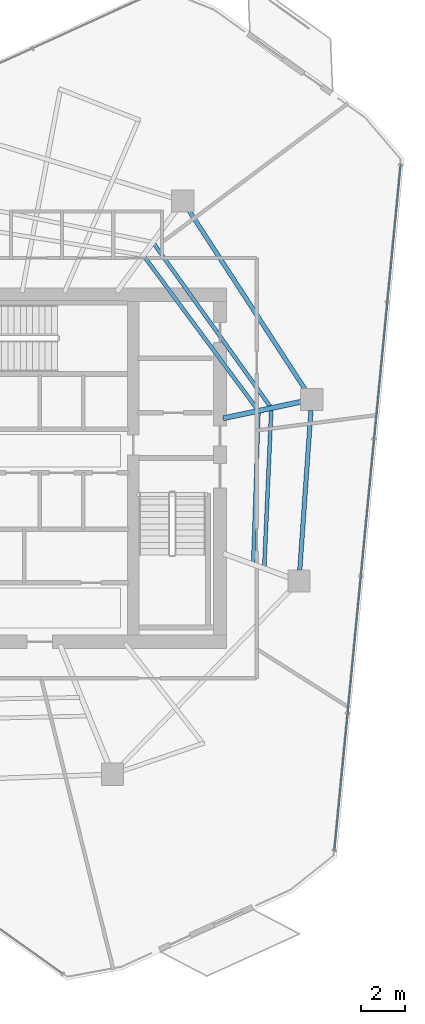
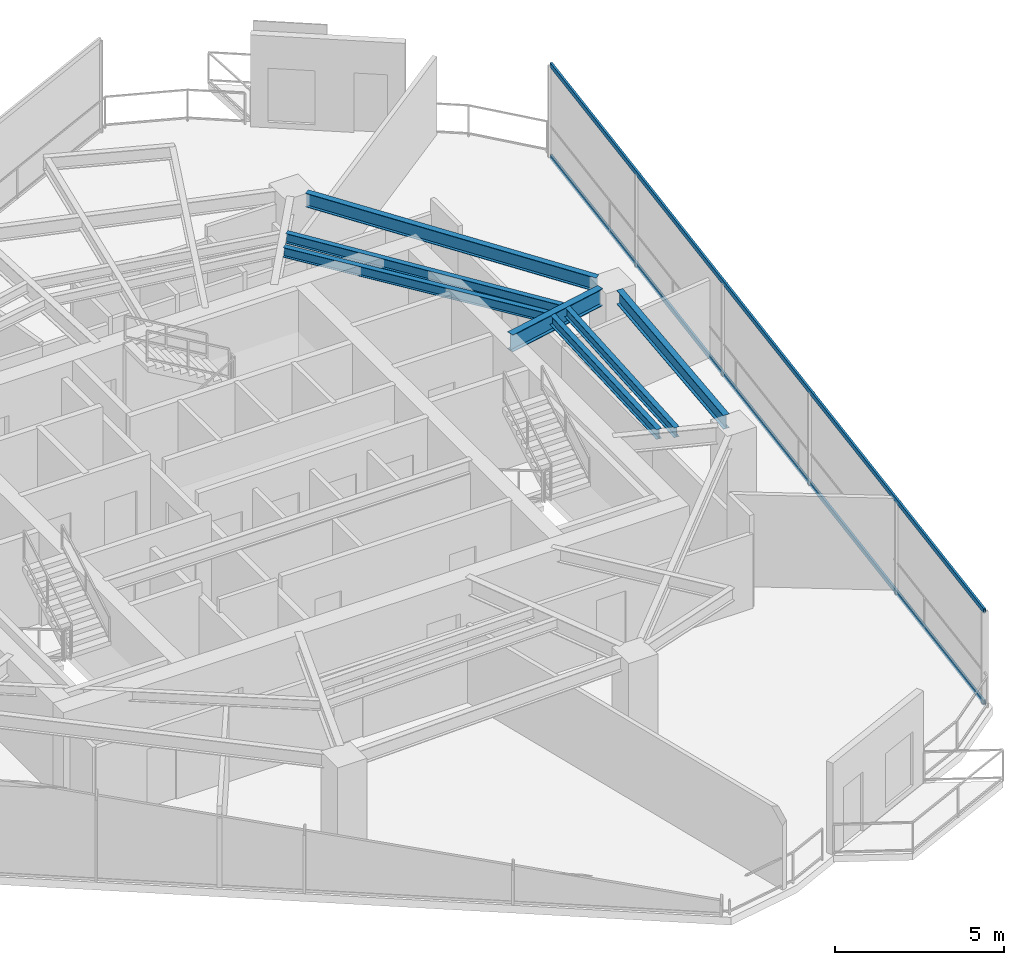
# One storey, part 10 of 21: 7 beams, 2 members, 1 element without a shape of its own.
"""IFC4 building model written with IfcOpenShell, lengths in metres."""

from ifc_helpers import new_model, si_unit, direction, frame, origin, origin_2d, place, context, subcontext, project, spatial, hollow_rectangle, i_section, extrude, material, layer, layer_set, material_profile, profile_set, type_object, element, aggregate, save


model = new_model("IFC4")

# Units and contexts
model_context = context("Model", 3, precision=1e-05, world=origin(), true_north=direction((0.0, 1.0)))
body_context = subcontext(model_context, "Body", "Model", "MODEL_VIEW")
ifc_project = project(units=[si_unit("LENGTHUNIT", "METRE"), si_unit("AREAUNIT", "SQUARE_METRE"), si_unit("VOLUMEUNIT", "CUBIC_METRE"), si_unit("PLANEANGLEUNIT", "RADIAN"), si_unit("MASSUNIT", "GRAM", prefix="KILO")], contexts=[model_context])

# Site, building, storey
site_placement = place(None, origin())
site = spatial("IfcSite", under=ifc_project, at=site_placement, CompositionType="ELEMENT")
building_placement = place(site_placement, origin())
building = spatial("IfcBuilding", under=site, at=building_placement, Name="Qarnah Convention Tower", CompositionType="ELEMENT")
storey_placement = place(building_placement, frame((0.0, 0.0, 158.10009765625)))
storey = spatial("IfcBuildingStorey", under=building, at=storey_placement, Name="L42", CompositionType="ELEMENT", Elevation=158.10009765625)

# Beams
ifc_material_1 = material(Name="Structural steel S355JR", Category="steel")
ifc_material_profile_1 = material_profile(ifc_material_1, i_section(OverallWidth=0.172119140625, OverallDepth=0.35595703125, WebThickness=0.007080078125, FlangeThickness=0.011962890625, at=origin_2d()), Name="W360X51")
ifc_profile_set_1 = profile_set([ifc_material_profile_1], Name="Structural steel S355JR")
beam_type_1 = type_object("IfcBeamType", Name="BM-JST-W360", PredefinedType="JOIST", material=ifc_profile_set_1)
beam_1_placement = place(storey_placement, frame((49.85791015625, 29.174072265625, 3.141845703125), z_axis=(-0.581261320914, 0.813716951286, 0.0), x_axis=(-0.813716951286, -0.581261320914, 0.0)))
element("IfcBeam", 1, at=beam_1_placement, inside=storey, type_object=beam_type_1, Name="L42 joist BM-L42-SJST-01", PredefinedType="JOIST", context=body_context, shape_type="SweptSolid", body=[
    extrude(i_section(OverallWidth=0.172119140625, OverallDepth=0.35595703125, WebThickness=0.007080078125, FlangeThickness=0.011962890625, at=origin_2d()), origin(), (0.0, 0.0, 1.0), 8.987060546875),
])
beam_2_placement = place(storey_placement, frame((49.593994140625, 21.97998046875, 3.141845703125), z_axis=(0.044332910423, 0.999016813199, 0.0), x_axis=(-0.999016813199, 0.044332910423, 0.0)))
element("IfcBeam", 2, at=beam_2_placement, inside=storey, type_object=beam_type_1, Name="L42 joist BM-L42-SJST-09", PredefinedType="JOIST", context=body_context, shape_type="SweptSolid", body=[
    extrude(i_section(OverallWidth=0.172119140625, OverallDepth=0.35595703125, WebThickness=0.007080078125, FlangeThickness=0.011962890625, at=origin_2d()), origin(), (0.0, 0.0, 1.0), 7.037841796875),
])
beam_3_placement = place(storey_placement, frame((49.278076171875, 29.050048828125, 3.141845703125), z_axis=(-0.595115858154, 0.803639916488, 0.0), x_axis=(-0.803639916488, -0.595115858154, 0.0)))
element("IfcBeam", 3, at=beam_3_placement, inside=storey, type_object=beam_type_1, Name="L42 joist BM-L42-IJST-01", PredefinedType="JOIST", context=body_context, shape_type="SweptSolid", body=[
    extrude(i_section(OverallWidth=0.172119140625, OverallDepth=0.35595703125, WebThickness=0.007080078125, FlangeThickness=0.011962890625, at=origin_2d()), origin(), (0.0, 0.0, 1.0), 8.52099609375),
])
beam_4_placement = place(storey_placement, frame((49.095947265625, 22.162109375, 3.141845703125), z_axis=(0.034644695133, 0.999399692365, 0.0), x_axis=(-0.999399692365, 0.034644695133, 0.0)))
element("IfcBeam", 4, at=beam_4_placement, inside=storey, type_object=beam_type_1, Name="L42 joist BM-L42-IJST-09", PredefinedType="JOIST", context=body_context, shape_type="SweptSolid", body=[
    extrude(i_section(OverallWidth=0.172119140625, OverallDepth=0.35595703125, WebThickness=0.007080078125, FlangeThickness=0.011962890625, at=origin_2d()), origin(), (0.0, 0.0, 1.0), 6.72998046875),
])
ifc_material_profile_2 = material_profile(ifc_material_1, i_section(OverallWidth=0.22998046875, OverallDepth=0.617919921875, WebThickness=0.012939453125, FlangeThickness=0.02197265625, at=origin_2d()), Name="W610X140")
ifc_profile_set_2 = profile_set([ifc_material_profile_2], Name="Structural steel S355JR")
beam_type_2 = type_object("IfcBeamType", Name="BM-RAD-W610A", PredefinedType="BEAM", material=ifc_profile_set_2)
beam_5_placement = place(storey_placement, frame((47.7470703125, 28.64111328125, 3.010986328125), z_axis=(0.978133929389, 0.207975999045, 0.0), x_axis=(-0.207975999045, 0.978133929389, 0.0)))
element("IfcBeam", 5, at=beam_5_placement, inside=storey, type_object=beam_type_2, Name="L42 beam BM-L42-RAD-01", PredefinedType="BEAM", context=body_context, shape_type="SweptSolid", body=[
    extrude(i_section(OverallWidth=0.22998046875, OverallDepth=0.617919921875, WebThickness=0.012939453125, FlangeThickness=0.02197265625, at=origin_2d()), origin(), (0.0, 0.0, 1.0), 3.586181640625),
])
ifc_material_profile_3 = material_profile(ifc_material_1, i_section(OverallWidth=0.199951171875, OverallDepth=0.5, WebThickness=0.010009765625, FlangeThickness=0.01611328125, at=origin_2d()), Name="IPE500")
ifc_profile_set_3 = profile_set([ifc_material_profile_3], Name="Structural steel S355JR")
beam_type_3 = type_object("IfcBeamType", Name="BM-SPN-IPE500", PredefinedType="SPANDREL", material=ifc_profile_set_3)
beam_6_placement = place(storey_placement, frame((51.4580078125, 29.89794921875, 3.06982421875), z_axis=(-0.544531816504, 0.838740186717, 0.0), x_axis=(-0.838740186717, -0.544531816504, 0.0)))
element("IfcBeam", 6, at=beam_6_placement, inside=storey, type_object=beam_type_3, Name="L42 spandrel BM-L42-SPN-01", PredefinedType="SPANDREL", context=body_context, shape_type="SweptSolid", body=[
    extrude(i_section(OverallWidth=0.199951171875, OverallDepth=0.5, WebThickness=0.010009765625, FlangeThickness=0.01611328125, at=origin_2d()), origin(), (0.0, 0.0, 1.0), 9.663330078125),
])
beam_7_placement = place(storey_placement, frame((51.18798828125, 21.81005859375, 3.06982421875), z_axis=(0.069797433651, 0.997561185219, 0.0), x_axis=(-0.997561185219, 0.069797433651, 0.0)))
element("IfcBeam", 7, at=beam_7_placement, inside=storey, type_object=beam_type_3, Name="L42 spandrel BM-L42-SPN-09", PredefinedType="SPANDREL", context=body_context, shape_type="SweptSolid", body=[
    extrude(i_section(OverallWidth=0.199951171875, OverallDepth=0.5, WebThickness=0.010009765625, FlangeThickness=0.01611328125, at=origin_2d()), origin(), (0.0, 0.0, 1.0), 7.20556640625),
])

# Curtain wall, members
ifc_material_2 = material(Name="Tempered Low-E dark glass", Category="glass")
ifc_layer = layer(ifc_material_2, 0.172119140625)
ifc_layer_set = layer_set([ifc_layer], Name="Tempered Low-E dark glass")
curtain_wall_type = type_object("IfcCurtainWallType", Name="CWS-03", PredefinedType="NOTDEFINED", material=ifc_layer_set)
curtain_wall_placement = place(storey_placement, origin())
curtain_wall = element("IfcCurtainWall", 8, at=curtain_wall_placement, inside=storey, type_object=curtain_wall_type, Name="L42 unitised curtain wall CW-L42-F3", PredefinedType="NOTDEFINED")
ifc_material_3 = material(Name="Black anodised aluminium", Category="aluminium")
ifc_material_profile_4 = material_profile(ifc_material_3, hollow_rectangle(XDim=0.070068359375, YDim=0.169921875, WallThickness=0.0048828125, at=origin_2d()), Name="TRN-70X170")
ifc_profile_set_4 = profile_set([ifc_material_profile_4], Name="Black anodised aluminium")
member_type = type_object("IfcMemberType", Name="TRN-T3", PredefinedType="USERDEFINED", material=ifc_profile_set_4)
member_1_placement = place(storey_placement, frame((55.72802734375, 40.0458984375, 0.0), z_axis=(-0.096238801127, -0.995358273768, 0.0), x_axis=(0.995358273768, -0.096238801127, 0.0)))
member_1 = element("IfcMember", 9, at=member_1_placement, type_object=member_type, Name="CW-L42-F3 transom 1", ObjectType="TRANSOM", PredefinedType="USERDEFINED", context=body_context, shape_type="SweptSolid", body=[
    extrude(hollow_rectangle(XDim=0.070068359375, YDim=0.169921875, WallThickness=0.0048828125, at=origin_2d()), origin(), (0.0, 0.0, 1.0), 30.974609375),
])
member_2_placement = place(storey_placement, frame((55.72802734375, 40.0458984375, 3.31982421875), z_axis=(-0.096238801127, -0.995358273768, 0.0), x_axis=(0.995358273768, -0.096238801127, 0.0)))
member_2 = element("IfcMember", 10, at=member_2_placement, type_object=member_type, Name="CW-L42-F3 transom 2", ObjectType="TRANSOM", PredefinedType="USERDEFINED", context=body_context, shape_type="SweptSolid", body=[
    extrude(hollow_rectangle(XDim=0.070068359375, YDim=0.169921875, WallThickness=0.0048828125, at=origin_2d()), origin(), (0.0, 0.0, 1.0), 30.974609375),
])
aggregate(curtain_wall, [member_1, member_2])

save(model, "model.ifc")
